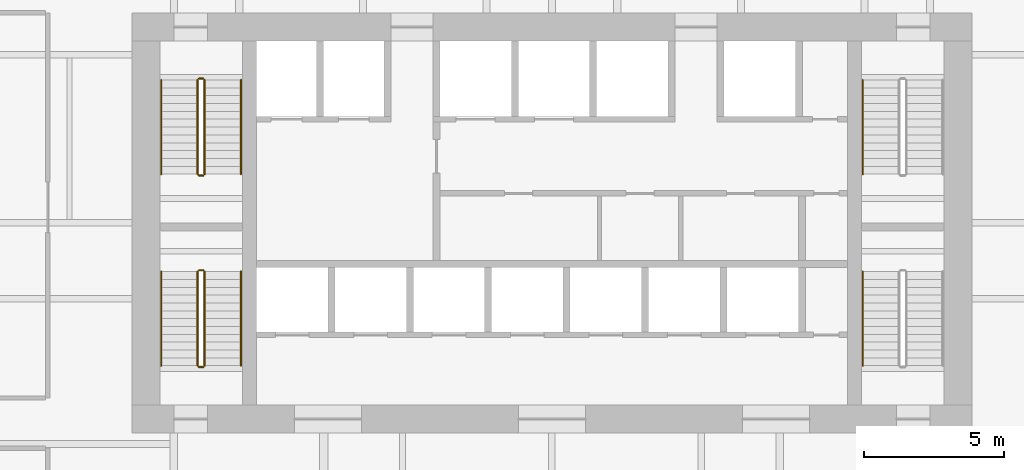
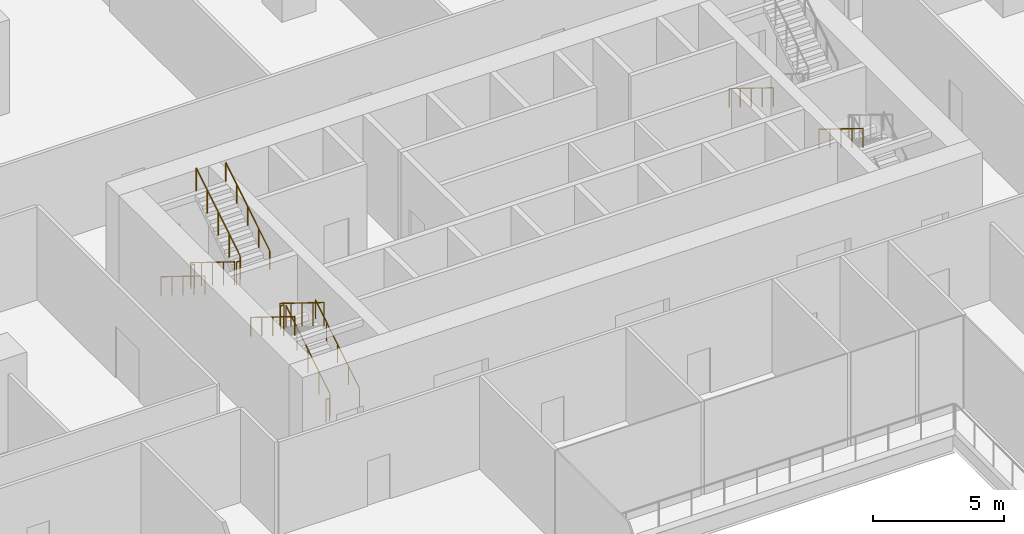
# One storey, part 30 of 33: 14 railings.
"""IFC4 building model written with IfcOpenShell, lengths in metres."""

from ifc_helpers import new_model, si_unit, direction, frame, origin, origin_2d, place, context, subcontext, project, spatial, circle, extrude, material, type_object, element, save


model = new_model("IFC4")

# Units and contexts
model_context = context("Model", 3, precision=1e-05, world=origin(), true_north=direction((0.0, 1.0)))
body_context = subcontext(model_context, "Body", "Model", "MODEL_VIEW")
ifc_project = project(units=[si_unit("LENGTHUNIT", "METRE"), si_unit("AREAUNIT", "SQUARE_METRE"), si_unit("VOLUMEUNIT", "CUBIC_METRE"), si_unit("PLANEANGLEUNIT", "RADIAN"), si_unit("MASSUNIT", "GRAM", prefix="KILO")], contexts=[model_context])

# Site, building, storey
site_placement = place(None, origin())
site = spatial("IfcSite", under=ifc_project, at=site_placement, CompositionType="ELEMENT")
building_placement = place(site_placement, origin())
building = spatial("IfcBuilding", under=site, at=building_placement, Name="Isthmus Gate Tower", CompositionType="ELEMENT")
storey_placement = place(building_placement, frame((0.0, 0.0, 31.5)))
storey = spatial("IfcBuildingStorey", under=building, at=storey_placement, Name="L05", CompositionType="ELEMENT", Elevation=31.5)

# Railings
ifc_material_1 = material(Name="Stainless steel balustrade", Category="steel")
railing_type_1 = type_object("IfcRailingType", Name="STAIR GUARD 1100", PredefinedType="GUARDRAIL", material=ifc_material_1)
railing_1_placement = place(storey_placement, frame((-12.64990234375, 12.60009765625, 0.173095703125)))
element("IfcRailing", 1, at=railing_1_placement, inside=storey, type_object=railing_type_1, Name="L05 ST1 stair guard 1", PredefinedType="GUARDRAIL", context=body_context, shape_type="SweptSolid", body=[
    extrude(circle(Radius=0.02392578125, at=origin_2d()), frame((0.0, 0.0, 1.076171875), z_axis=(0.0, -0.850623216509, 0.525775754039), x_axis=(1.0, 0.0, 0.0)), (0.0, 0.0, 1.0), 3.9501953125),
    extrude(circle(Radius=0.02099609375, at=origin_2d()), origin(), (0.0, 0.0, 1.0), 1.052001953125),
    extrude(circle(Radius=0.02099609375, at=origin_2d()), frame((0.0, -0.840087890625, 0.519287109375)), (0.0, 0.0, 1.0), 1.052001953125),
    extrude(circle(Radius=0.02099609375, at=origin_2d()), frame((0.0, -1.68017578125, 1.03857421875)), (0.0, 0.0, 1.0), 1.052001953125),
    extrude(circle(Radius=0.02099609375, at=origin_2d()), frame((0.0, -2.52001953125, 1.5576171875)), (0.0, 0.0, 1.0), 1.052001953125),
    extrude(circle(Radius=0.02099609375, at=origin_2d()), frame((0.0, -3.360107421875, 2.076904296875)), (0.0, 0.0, 1.0), 1.052001953125),
])
railing_2_placement = place(storey_placement, frame((-12.60009765625, 9.18994140625, 2.25)))
element("IfcRailing", 2, at=railing_2_placement, inside=storey, type_object=railing_type_1, Name="L05 ST1 stair guard 2", PredefinedType="GUARDRAIL", context=body_context, shape_type="SweptSolid", body=[
    extrude(circle(Radius=0.02392578125, at=origin_2d()), frame((0.0, 0.0, 1.076171875), z_axis=(1.0, 0.0, 0.0), x_axis=(0.0, 1.0, 0.0)), (0.0, 0.0, 1.0), 0.150146484375),
    extrude(circle(Radius=0.02099609375, at=origin_2d()), origin(), (0.0, 0.0, 1.0), 1.052001953125),
    extrude(circle(Radius=0.02099609375, at=origin_2d()), frame((0.150146484375, 0.0, 0.0)), (0.0, 0.0, 1.0), 1.052001953125),
])
railing_3_placement = place(storey_placement, frame((-12.39990234375, 9.239990234375, 2.423095703125)))
element("IfcRailing", 3, at=railing_3_placement, inside=storey, type_object=railing_type_1, Name="L05 ST1 stair guard 3", PredefinedType="GUARDRAIL", context=body_context, shape_type="SweptSolid", body=[
    extrude(circle(Radius=0.02392578125, at=origin_2d()), frame((0.0, 0.0, 1.076171875), z_axis=(0.0, 0.850623216509, 0.525775754039), x_axis=(-1.0, 0.0, 0.0)), (0.0, 0.0, 1.0), 3.9501953125),
    extrude(circle(Radius=0.02099609375, at=origin_2d()), origin(), (0.0, 0.0, 1.0), 1.052001953125),
    extrude(circle(Radius=0.02099609375, at=origin_2d()), frame((0.0, 0.840087890625, 0.519287109375)), (0.0, 0.0, 1.0), 1.052001953125),
    extrude(circle(Radius=0.02099609375, at=origin_2d()), frame((0.0, 1.68017578125, 1.03857421875)), (0.0, 0.0, 1.0), 1.052001953125),
    extrude(circle(Radius=0.02099609375, at=origin_2d()), frame((0.0, 2.52001953125, 1.5576171875)), (0.0, 0.0, 1.0), 1.052001953125),
    extrude(circle(Radius=0.02099609375, at=origin_2d()), frame((0.0, 3.360107421875, 2.076904296875)), (0.0, 0.0, 1.0), 1.052001953125),
])
railing_4_placement = place(storey_placement, frame((-12.60009765625, 12.64990234375, 0.0)))
element("IfcRailing", 4, at=railing_4_placement, inside=storey, type_object=railing_type_1, Name="L05 ST1 stair guard 4", PredefinedType="GUARDRAIL", context=body_context, shape_type="SweptSolid", body=[
    extrude(circle(Radius=0.02392578125, at=origin_2d()), frame((0.0, 0.0, 1.076171875), z_axis=(1.0, 0.0, 0.0), x_axis=(0.0, 1.0, 0.0)), (0.0, 0.0, 1.0), 0.150146484375),
    extrude(circle(Radius=0.02099609375, at=origin_2d()), origin(), (0.0, 0.0, 1.0), 1.052001953125),
    extrude(circle(Radius=0.02099609375, at=origin_2d()), frame((0.150146484375, 0.0, 0.0)), (0.0, 0.0, 1.0), 1.052001953125),
])
railing_5_placement = place(storey_placement, frame((-12.39990234375, 2.39990234375, 0.173095703125)))
element("IfcRailing", 5, at=railing_5_placement, inside=storey, type_object=railing_type_1, Name="L05 ST7 stair guard 1", PredefinedType="GUARDRAIL", context=body_context, shape_type="SweptSolid", body=[
    extrude(circle(Radius=0.02392578125, at=origin_2d()), frame((0.0, 0.0, 1.076171875), z_axis=(0.0, 0.850623216509, 0.525775754039), x_axis=(-1.0, 0.0, 0.0)), (0.0, 0.0, 1.0), 3.9501953125),
    extrude(circle(Radius=0.02099609375, at=origin_2d()), origin(), (0.0, 0.0, 1.0), 1.052001953125),
    extrude(circle(Radius=0.02099609375, at=origin_2d()), frame((0.0, 0.840087890625, 0.519287109375)), (0.0, 0.0, 1.0), 1.052001953125),
    extrude(circle(Radius=0.02099609375, at=origin_2d()), frame((0.0, 1.68017578125, 1.03857421875)), (0.0, 0.0, 1.0), 1.052001953125),
    extrude(circle(Radius=0.02099609375, at=origin_2d()), frame((0.0, 2.52001953125, 1.5576171875)), (0.0, 0.0, 1.0), 1.052001953125),
    extrude(circle(Radius=0.02099609375, at=origin_2d()), frame((0.0, 3.360107421875, 2.076904296875)), (0.0, 0.0, 1.0), 1.052001953125),
])
railing_6_placement = place(storey_placement, frame((-12.449951171875, 5.81005859375, 2.25)))
element("IfcRailing", 6, at=railing_6_placement, inside=storey, type_object=railing_type_1, Name="L05 ST7 stair guard 2", PredefinedType="GUARDRAIL", context=body_context, shape_type="SweptSolid", body=[
    extrude(circle(Radius=0.02392578125, at=origin_2d()), frame((0.0, 0.0, 1.076171875), z_axis=(-1.0, 0.0, 0.0), x_axis=(0.0, -1.0, 0.0)), (0.0, 0.0, 1.0), 0.150146484375),
    extrude(circle(Radius=0.02099609375, at=origin_2d()), origin(), (0.0, 0.0, 1.0), 1.052001953125),
    extrude(circle(Radius=0.02099609375, at=origin_2d()), frame((-0.150146484375, 0.0, 0.0)), (0.0, 0.0, 1.0), 1.052001953125),
])
railing_7_placement = place(storey_placement, frame((-12.64990234375, 5.760009765625, 2.423095703125)))
element("IfcRailing", 7, at=railing_7_placement, inside=storey, type_object=railing_type_1, Name="L05 ST7 stair guard 3", PredefinedType="GUARDRAIL", context=body_context, shape_type="SweptSolid", body=[
    extrude(circle(Radius=0.02392578125, at=origin_2d()), frame((0.0, 0.0, 1.076171875), z_axis=(0.0, -0.850623216509, 0.525775754039), x_axis=(1.0, 0.0, 0.0)), (0.0, 0.0, 1.0), 3.9501953125),
    extrude(circle(Radius=0.02099609375, at=origin_2d()), origin(), (0.0, 0.0, 1.0), 1.052001953125),
    extrude(circle(Radius=0.02099609375, at=origin_2d()), frame((0.0, -0.840087890625, 0.519287109375)), (0.0, 0.0, 1.0), 1.052001953125),
    extrude(circle(Radius=0.02099609375, at=origin_2d()), frame((0.0, -1.68017578125, 1.03857421875)), (0.0, 0.0, 1.0), 1.052001953125),
    extrude(circle(Radius=0.02099609375, at=origin_2d()), frame((0.0, -2.52001953125, 1.5576171875)), (0.0, 0.0, 1.0), 1.052001953125),
    extrude(circle(Radius=0.02099609375, at=origin_2d()), frame((0.0, -3.360107421875, 2.076904296875)), (0.0, 0.0, 1.0), 1.052001953125),
])
railing_8_placement = place(storey_placement, frame((-12.449951171875, 2.35009765625, 0.0)))
element("IfcRailing", 8, at=railing_8_placement, inside=storey, type_object=railing_type_1, Name="L05 ST7 stair guard 4", PredefinedType="GUARDRAIL", context=body_context, shape_type="SweptSolid", body=[
    extrude(circle(Radius=0.02392578125, at=origin_2d()), frame((0.0, 0.0, 1.076171875), z_axis=(-1.0, 0.0, 0.0), x_axis=(0.0, -1.0, 0.0)), (0.0, 0.0, 1.0), 0.150146484375),
    extrude(circle(Radius=0.02099609375, at=origin_2d()), origin(), (0.0, 0.0, 1.0), 1.052001953125),
    extrude(circle(Radius=0.02099609375, at=origin_2d()), frame((-0.150146484375, 0.0, 0.0)), (0.0, 0.0, 1.0), 1.052001953125),
])
ifc_material_2 = material(Name="Stainless steel handrail", Category="steel")
railing_type_2 = type_object("IfcRailingType", Name="STAIR HANDRAIL 900", PredefinedType="HANDRAIL", material=ifc_material_2)
railing_9_placement = place(storey_placement, frame((-13.949951171875, 12.60009765625, 0.173095703125)))
element("IfcRailing", 9, at=railing_9_placement, inside=storey, type_object=railing_type_2, Name="L05 ST1 stair handrail 1", PredefinedType="HANDRAIL", context=body_context, shape_type="SweptSolid", body=[
    extrude(circle(Radius=0.02392578125, at=origin_2d()), frame((0.0, 0.0, 0.8759765625), z_axis=(0.0, -0.850623216509, 0.525775754039), x_axis=(1.0, 0.0, 0.0)), (0.0, 0.0, 1.0), 3.9501953125),
    extrude(circle(Radius=0.02099609375, at=origin_2d()), origin(), (0.0, 0.0, 1.0), 0.851806640625),
    extrude(circle(Radius=0.02099609375, at=origin_2d()), frame((0.0, -0.840087890625, 0.519287109375)), (0.0, 0.0, 1.0), 0.851806640625),
    extrude(circle(Radius=0.02099609375, at=origin_2d()), frame((0.0, -1.68017578125, 1.03857421875)), (0.0, 0.0, 1.0), 0.851806640625),
    extrude(circle(Radius=0.02099609375, at=origin_2d()), frame((0.0, -2.52001953125, 1.5576171875)), (0.0, 0.0, 1.0), 0.851806640625),
    extrude(circle(Radius=0.02099609375, at=origin_2d()), frame((0.0, -3.360107421875, 2.076904296875)), (0.0, 0.0, 1.0), 0.851806640625),
])
railing_10_placement = place(storey_placement, frame((-11.10009765625, 9.239990234375, 2.423095703125)))
element("IfcRailing", 10, at=railing_10_placement, inside=storey, type_object=railing_type_2, Name="L05 ST1 stair handrail 2", PredefinedType="HANDRAIL", context=body_context, shape_type="SweptSolid", body=[
    extrude(circle(Radius=0.02392578125, at=origin_2d()), frame((0.0, 0.0, 0.8759765625), z_axis=(0.0, 0.850623216509, 0.525775754039), x_axis=(-1.0, 0.0, 0.0)), (0.0, 0.0, 1.0), 3.9501953125),
    extrude(circle(Radius=0.02099609375, at=origin_2d()), origin(), (0.0, 0.0, 1.0), 0.851806640625),
    extrude(circle(Radius=0.02099609375, at=origin_2d()), frame((0.0, 0.840087890625, 0.519287109375)), (0.0, 0.0, 1.0), 0.851806640625),
    extrude(circle(Radius=0.02099609375, at=origin_2d()), frame((0.0, 1.68017578125, 1.03857421875)), (0.0, 0.0, 1.0), 0.851806640625),
    extrude(circle(Radius=0.02099609375, at=origin_2d()), frame((0.0, 2.52001953125, 1.5576171875)), (0.0, 0.0, 1.0), 0.851806640625),
    extrude(circle(Radius=0.02099609375, at=origin_2d()), frame((0.0, 3.360107421875, 2.076904296875)), (0.0, 0.0, 1.0), 0.851806640625),
])
railing_11_placement = place(storey_placement, frame((11.10009765625, 12.60009765625, 0.173095703125)))
element("IfcRailing", 11, at=railing_11_placement, inside=storey, type_object=railing_type_2, Name="L05 ST2 stair handrail 1", PredefinedType="HANDRAIL", context=body_context, shape_type="SweptSolid", body=[
    extrude(circle(Radius=0.02392578125, at=origin_2d()), frame((0.0, 0.0, 0.8759765625), z_axis=(0.0, -0.850623216509, 0.525775754039), x_axis=(1.0, 0.0, 0.0)), (0.0, 0.0, 1.0), 3.9501953125),
    extrude(circle(Radius=0.02099609375, at=origin_2d()), origin(), (0.0, 0.0, 1.0), 0.851806640625),
    extrude(circle(Radius=0.02099609375, at=origin_2d()), frame((0.0, -0.840087890625, 0.519287109375)), (0.0, 0.0, 1.0), 0.851806640625),
    extrude(circle(Radius=0.02099609375, at=origin_2d()), frame((0.0, -1.68017578125, 1.03857421875)), (0.0, 0.0, 1.0), 0.851806640625),
    extrude(circle(Radius=0.02099609375, at=origin_2d()), frame((0.0, -2.52001953125, 1.5576171875)), (0.0, 0.0, 1.0), 0.851806640625),
    extrude(circle(Radius=0.02099609375, at=origin_2d()), frame((0.0, -3.360107421875, 2.076904296875)), (0.0, 0.0, 1.0), 0.851806640625),
])
railing_12_placement = place(storey_placement, frame((-11.10009765625, 2.39990234375, 0.173095703125)))
element("IfcRailing", 12, at=railing_12_placement, inside=storey, type_object=railing_type_2, Name="L05 ST7 stair handrail 1", PredefinedType="HANDRAIL", context=body_context, shape_type="SweptSolid", body=[
    extrude(circle(Radius=0.02392578125, at=origin_2d()), frame((0.0, 0.0, 0.8759765625), z_axis=(0.0, 0.850623216509, 0.525775754039), x_axis=(-1.0, 0.0, 0.0)), (0.0, 0.0, 1.0), 3.9501953125),
    extrude(circle(Radius=0.02099609375, at=origin_2d()), origin(), (0.0, 0.0, 1.0), 0.851806640625),
    extrude(circle(Radius=0.02099609375, at=origin_2d()), frame((0.0, 0.840087890625, 0.519287109375)), (0.0, 0.0, 1.0), 0.851806640625),
    extrude(circle(Radius=0.02099609375, at=origin_2d()), frame((0.0, 1.68017578125, 1.03857421875)), (0.0, 0.0, 1.0), 0.851806640625),
    extrude(circle(Radius=0.02099609375, at=origin_2d()), frame((0.0, 2.52001953125, 1.5576171875)), (0.0, 0.0, 1.0), 0.851806640625),
    extrude(circle(Radius=0.02099609375, at=origin_2d()), frame((0.0, 3.360107421875, 2.076904296875)), (0.0, 0.0, 1.0), 0.851806640625),
])
for number, where, name in (
    (13, (-13.949951171875, 5.760009765625, 2.423095703125), "L05 ST7 stair handrail 2"),
    (14, (11.10009765625, 5.760009765625, 2.423095703125), "L05 ST8 stair handrail 2"),
):
    element("IfcRailing", number, at=place(storey_placement, frame(where)), inside=storey, type_object=railing_type_2, Name=name, PredefinedType="HANDRAIL", context=body_context, shape_type="SweptSolid", body=[
        extrude(circle(Radius=0.02392578125, at=origin_2d()), frame((0.0, 0.0, 0.8759765625), z_axis=(0.0, -0.850623216509, 0.525775754039), x_axis=(1.0, 0.0, 0.0)), (0.0, 0.0, 1.0), 3.9501953125),
        extrude(circle(Radius=0.02099609375, at=origin_2d()), origin(), (0.0, 0.0, 1.0), 0.851806640625),
        extrude(circle(Radius=0.02099609375, at=origin_2d()), frame((0.0, -0.840087890625, 0.519287109375)), (0.0, 0.0, 1.0), 0.851806640625),
        extrude(circle(Radius=0.02099609375, at=origin_2d()), frame((0.0, -1.68017578125, 1.03857421875)), (0.0, 0.0, 1.0), 0.851806640625),
        extrude(circle(Radius=0.02099609375, at=origin_2d()), frame((0.0, -2.52001953125, 1.5576171875)), (0.0, 0.0, 1.0), 0.851806640625),
        extrude(circle(Radius=0.02099609375, at=origin_2d()), frame((0.0, -3.360107421875, 2.076904296875)), (0.0, 0.0, 1.0), 0.851806640625),
    ])

save(model, "model.ifc")
